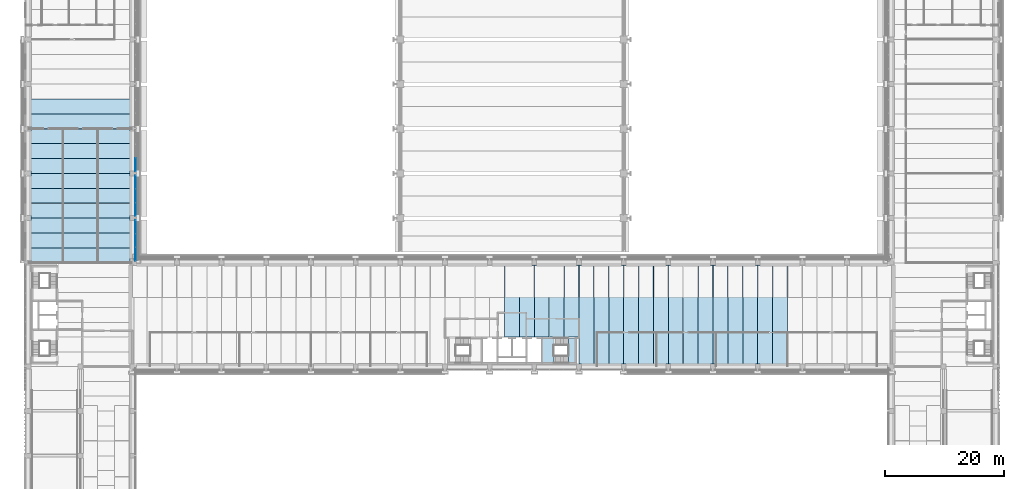
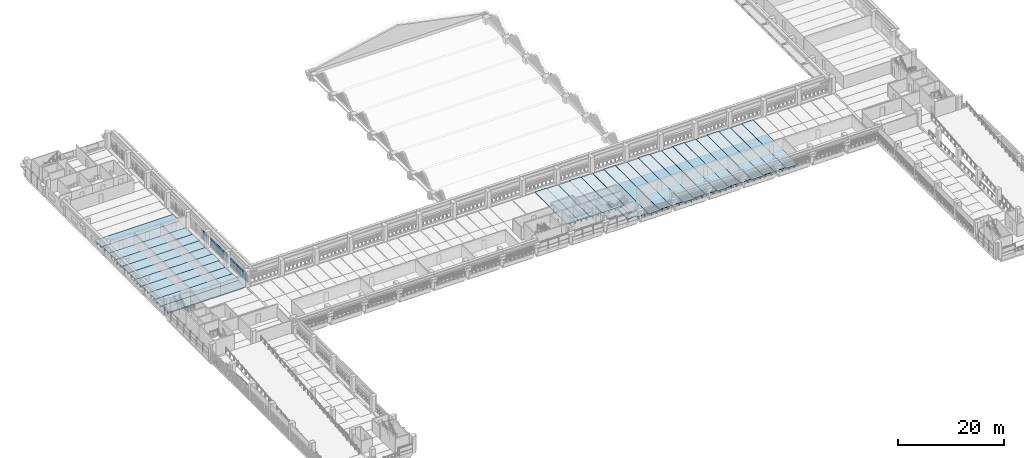
# One storey, part 24 of 71: 32 slabs, 21 plates, 4 elements without a shape of their own.
"""IFC4 building model written with IfcOpenShell, lengths in metres."""

from ifc_helpers import new_model, si_unit, direction, frame, origin, origin_2d, place, context, subcontext, project, spatial, polyline, rectangle, outline, extrude, material, layer, layer_set, material_profile, profile_set, type_object, element, aggregate, save


model = new_model("IFC4")

# Units and contexts
model_context = context("Model", 3, precision=1e-05, world=origin(), true_north=direction((0.0, 1.0)))
body_context = subcontext(model_context, "Body", "Model", "MODEL_VIEW")
ifc_project = project(units=[si_unit("LENGTHUNIT", "METRE"), si_unit("AREAUNIT", "SQUARE_METRE"), si_unit("VOLUMEUNIT", "CUBIC_METRE"), si_unit("PLANEANGLEUNIT", "RADIAN"), si_unit("MASSUNIT", "GRAM", prefix="KILO")], contexts=[model_context])

# Site, building, storey
site_placement = place(None, origin())
site = spatial("IfcSite", under=ifc_project, at=site_placement, CompositionType="ELEMENT")
building_placement = place(site_placement, origin())
building = spatial("IfcBuilding", under=site, at=building_placement, Name="Cour d'Honneur Mobility Palace", CompositionType="ELEMENT")
storey_placement = place(building_placement, frame((0.0, 0.0, 15.60009765625)))
storey = spatial("IfcBuildingStorey", under=building, at=storey_placement, Name="L04", CompositionType="ELEMENT", Elevation=15.60009765625)

# Slab
ifc_material_1 = material(Name="Concrete C50", Category="concrete")
ifc_layer_1 = layer(ifc_material_1, 0.25)
ifc_layer_set_1 = layer_set([ifc_layer_1], Name="Concrete C50")
slab_type_1 = type_object("IfcSlabType", Name="Cast-in-place Slab 250", PredefinedType="FLOOR", material=ifc_layer_set_1)
slab_1_placement = place(storey_placement, frame((0.0, 0.0, -0.25)))
element("IfcSlab", 1, at=slab_1_placement, inside=storey, type_object=slab_type_1, Name="Cast-in-place slab S1 L04 core", PredefinedType="FLOOR", context=body_context, shape_type="SweptSolid", body=[
    extrude(outline(polyline([(91.699951171875, 45.699951171875), (90.625, 45.699951171875), (90.625, 49.675048828125), (91.699951171875, 49.675048828125), (91.699951171875, 45.699951171875)])), origin(), (0.0, 0.0, 1.0), 0.25),
])

# Curtain wall, plates
ifc_material_2 = material(Name="Aluminium and glass", Category="aluminium")
ifc_layer_2 = layer(ifc_material_2, 0.10009765625)
ifc_layer_set_2 = layer_set([ifc_layer_2], Name="Aluminium and glass")
curtain_wall_type = type_object("IfcCurtainWallType", Name="Curtain wall run", PredefinedType="NOTDEFINED", material=ifc_layer_set_2)
curtain_wall_1_placement = place(storey_placement, origin())
curtain_wall_1 = element("IfcCurtainWall", 2, at=curtain_wall_1_placement, inside=storey, type_object=curtain_wall_type, Name="Curtain wall CW-37", PredefinedType="NOTDEFINED")
ifc_material_3 = material(Name="Double glazing", Category="glass")
ifc_layer_3 = layer(ifc_material_3, 0.028076171875)
ifc_layer_set_3 = layer_set([ifc_layer_3], Name="Double glazing")
plate_type = type_object("IfcPlateType", Name="Curtain wall panel", PredefinedType="CURTAIN_PANEL", material=ifc_layer_set_3)
plate_1_placement = place(storey_placement, frame((17.949951171875, 63.864990234375, 0.059814453125), z_axis=(0.0, 0.0, 1.0), x_axis=(0.0, 1.0, 0.0)))
plate_1 = element("IfcPlate", 3, at=plate_1_placement, type_object=plate_type, Name="CW-37 panel 1.1", PredefinedType="CURTAIN_PANEL", context=body_context, shape_type="SweptSolid", body=[
    extrude(rectangle(XDim=2.2099609375, YDim=0.028076171875, at=origin_2d()), origin(), (0.0, 0.0, 1.0), 0.6767578125),
])
plate_2_placement = place(storey_placement, frame((17.949951171875, 63.864990234375, 0.79638671875), z_axis=(0.0, 0.0, 1.0), x_axis=(0.0, 1.0, 0.0)))
plate_2 = element("IfcPlate", 4, at=plate_2_placement, type_object=plate_type, Name="CW-37 panel 1.2", PredefinedType="CURTAIN_PANEL", context=body_context, shape_type="SweptSolid", body=[
    extrude(rectangle(XDim=2.2099609375, YDim=0.028076171875, at=origin_2d()), origin(), (0.0, 0.0, 1.0), 0.706787109375),
])
plate_3_placement = place(storey_placement, frame((17.949951171875, 63.864990234375, 1.563232421875), z_axis=(0.0, 0.0, 1.0), x_axis=(0.0, 1.0, 0.0)))
plate_3 = element("IfcPlate", 5, at=plate_3_placement, type_object=plate_type, Name="CW-37 panel 1.3", PredefinedType="CURTAIN_PANEL", context=body_context, shape_type="SweptSolid", body=[
    extrude(rectangle(XDim=2.2099609375, YDim=0.028076171875, at=origin_2d()), origin(), (0.0, 0.0, 1.0), 0.6767578125),
])
plate_4_placement = place(storey_placement, frame((17.949951171875, 66.14990234375, 0.059814453125), z_axis=(0.0, 0.0, 1.0), x_axis=(0.0, 1.0, 0.0)))
plate_4 = element("IfcPlate", 6, at=plate_4_placement, type_object=plate_type, Name="CW-37 panel 2.1", PredefinedType="CURTAIN_PANEL", context=body_context, shape_type="SweptSolid", body=[
    extrude(rectangle(XDim=2.239990234375, YDim=0.028076171875, at=origin_2d()), origin(), (0.0, 0.0, 1.0), 0.6767578125),
])
plate_5_placement = place(storey_placement, frame((17.949951171875, 66.14990234375, 0.79638671875), z_axis=(0.0, 0.0, 1.0), x_axis=(0.0, 1.0, 0.0)))
plate_5 = element("IfcPlate", 7, at=plate_5_placement, type_object=plate_type, Name="CW-37 panel 2.2", PredefinedType="CURTAIN_PANEL", context=body_context, shape_type="SweptSolid", body=[
    extrude(rectangle(XDim=2.239990234375, YDim=0.028076171875, at=origin_2d()), origin(), (0.0, 0.0, 1.0), 0.706787109375),
])
plate_6_placement = place(storey_placement, frame((17.949951171875, 66.14990234375, 1.563232421875), z_axis=(0.0, 0.0, 1.0), x_axis=(0.0, 1.0, 0.0)))
plate_6 = element("IfcPlate", 8, at=plate_6_placement, type_object=plate_type, Name="CW-37 panel 2.3", PredefinedType="CURTAIN_PANEL", context=body_context, shape_type="SweptSolid", body=[
    extrude(rectangle(XDim=2.239990234375, YDim=0.028076171875, at=origin_2d()), origin(), (0.0, 0.0, 1.0), 0.6767578125),
])
plate_7_placement = place(storey_placement, frame((17.949951171875, 68.43505859375, 0.059814453125), z_axis=(0.0, 0.0, 1.0), x_axis=(0.0, 1.0, 0.0)))
plate_7 = element("IfcPlate", 9, at=plate_7_placement, type_object=plate_type, Name="CW-37 panel 3.1", PredefinedType="CURTAIN_PANEL", context=body_context, shape_type="SweptSolid", body=[
    extrude(rectangle(XDim=2.2099609375, YDim=0.028076171875, at=origin_2d()), origin(), (0.0, 0.0, 1.0), 0.6767578125),
])
plate_8_placement = place(storey_placement, frame((17.949951171875, 68.43505859375, 0.79638671875), z_axis=(0.0, 0.0, 1.0), x_axis=(0.0, 1.0, 0.0)))
plate_8 = element("IfcPlate", 10, at=plate_8_placement, type_object=plate_type, Name="CW-37 panel 3.2", PredefinedType="CURTAIN_PANEL", context=body_context, shape_type="SweptSolid", body=[
    extrude(rectangle(XDim=2.2099609375, YDim=0.028076171875, at=origin_2d()), origin(), (0.0, 0.0, 1.0), 0.706787109375),
])
plate_9_placement = place(storey_placement, frame((17.949951171875, 68.43505859375, 1.563232421875), z_axis=(0.0, 0.0, 1.0), x_axis=(0.0, 1.0, 0.0)))
plate_9 = element("IfcPlate", 11, at=plate_9_placement, type_object=plate_type, Name="CW-37 panel 3.3", PredefinedType="CURTAIN_PANEL", context=body_context, shape_type="SweptSolid", body=[
    extrude(rectangle(XDim=2.2099609375, YDim=0.028076171875, at=origin_2d()), origin(), (0.0, 0.0, 1.0), 0.6767578125),
])
aggregate(curtain_wall_1, [plate_1, plate_2, plate_3, plate_4, plate_5, plate_6, plate_7, plate_8, plate_9])

curtain_wall_2_placement = place(storey_placement, origin())
curtain_wall_2 = element("IfcCurtainWall", 12, at=curtain_wall_2_placement, inside=storey, type_object=curtain_wall_type, Name="Curtain wall CW-38", PredefinedType="NOTDEFINED")
plate_10_placement = place(storey_placement, frame((17.949951171875, 71.364990234375, 0.059814453125), z_axis=(0.0, 0.0, 1.0), x_axis=(0.0, 1.0, 0.0)))
plate_10 = element("IfcPlate", 13, at=plate_10_placement, type_object=plate_type, Name="CW-38 panel 1.1", PredefinedType="CURTAIN_PANEL", context=body_context, shape_type="SweptSolid", body=[
    extrude(rectangle(XDim=2.2099609375, YDim=0.028076171875, at=origin_2d()), origin(), (0.0, 0.0, 1.0), 0.6767578125),
])
plate_11_placement = place(storey_placement, frame((17.949951171875, 71.364990234375, 0.79638671875), z_axis=(0.0, 0.0, 1.0), x_axis=(0.0, 1.0, 0.0)))
plate_11 = element("IfcPlate", 14, at=plate_11_placement, type_object=plate_type, Name="CW-38 panel 1.2", PredefinedType="CURTAIN_PANEL", context=body_context, shape_type="SweptSolid", body=[
    extrude(rectangle(XDim=2.2099609375, YDim=0.028076171875, at=origin_2d()), origin(), (0.0, 0.0, 1.0), 0.706787109375),
])
plate_12_placement = place(storey_placement, frame((17.949951171875, 71.364990234375, 1.563232421875), z_axis=(0.0, 0.0, 1.0), x_axis=(0.0, 1.0, 0.0)))
plate_12 = element("IfcPlate", 15, at=plate_12_placement, type_object=plate_type, Name="CW-38 panel 1.3", PredefinedType="CURTAIN_PANEL", context=body_context, shape_type="SweptSolid", body=[
    extrude(rectangle(XDim=2.2099609375, YDim=0.028076171875, at=origin_2d()), origin(), (0.0, 0.0, 1.0), 0.6767578125),
])
plate_13_placement = place(storey_placement, frame((17.949951171875, 73.64990234375, 0.059814453125), z_axis=(0.0, 0.0, 1.0), x_axis=(0.0, 1.0, 0.0)))
plate_13 = element("IfcPlate", 16, at=plate_13_placement, type_object=plate_type, Name="CW-38 panel 2.1", PredefinedType="CURTAIN_PANEL", context=body_context, shape_type="SweptSolid", body=[
    extrude(rectangle(XDim=2.239990234375, YDim=0.028076171875, at=origin_2d()), origin(), (0.0, 0.0, 1.0), 0.6767578125),
])
plate_14_placement = place(storey_placement, frame((17.949951171875, 73.64990234375, 0.79638671875), z_axis=(0.0, 0.0, 1.0), x_axis=(0.0, 1.0, 0.0)))
plate_14 = element("IfcPlate", 17, at=plate_14_placement, type_object=plate_type, Name="CW-38 panel 2.2", PredefinedType="CURTAIN_PANEL", context=body_context, shape_type="SweptSolid", body=[
    extrude(rectangle(XDim=2.239990234375, YDim=0.028076171875, at=origin_2d()), origin(), (0.0, 0.0, 1.0), 0.706787109375),
])
plate_15_placement = place(storey_placement, frame((17.949951171875, 73.64990234375, 1.563232421875), z_axis=(0.0, 0.0, 1.0), x_axis=(0.0, 1.0, 0.0)))
plate_15 = element("IfcPlate", 18, at=plate_15_placement, type_object=plate_type, Name="CW-38 panel 2.3", PredefinedType="CURTAIN_PANEL", context=body_context, shape_type="SweptSolid", body=[
    extrude(rectangle(XDim=2.239990234375, YDim=0.028076171875, at=origin_2d()), origin(), (0.0, 0.0, 1.0), 0.6767578125),
])
plate_16_placement = place(storey_placement, frame((17.949951171875, 75.93505859375, 0.059814453125), z_axis=(0.0, 0.0, 1.0), x_axis=(0.0, 1.0, 0.0)))
plate_16 = element("IfcPlate", 19, at=plate_16_placement, type_object=plate_type, Name="CW-38 panel 3.1", PredefinedType="CURTAIN_PANEL", context=body_context, shape_type="SweptSolid", body=[
    extrude(rectangle(XDim=2.2099609375, YDim=0.028076171875, at=origin_2d()), origin(), (0.0, 0.0, 1.0), 0.6767578125),
])
plate_17_placement = place(storey_placement, frame((17.949951171875, 75.93505859375, 0.79638671875), z_axis=(0.0, 0.0, 1.0), x_axis=(0.0, 1.0, 0.0)))
plate_17 = element("IfcPlate", 20, at=plate_17_placement, type_object=plate_type, Name="CW-38 panel 3.2", PredefinedType="CURTAIN_PANEL", context=body_context, shape_type="SweptSolid", body=[
    extrude(rectangle(XDim=2.2099609375, YDim=0.028076171875, at=origin_2d()), origin(), (0.0, 0.0, 1.0), 0.706787109375),
])
plate_18_placement = place(storey_placement, frame((17.949951171875, 75.93505859375, 1.563232421875), z_axis=(0.0, 0.0, 1.0), x_axis=(0.0, 1.0, 0.0)))
plate_18 = element("IfcPlate", 21, at=plate_18_placement, type_object=plate_type, Name="CW-38 panel 3.3", PredefinedType="CURTAIN_PANEL", context=body_context, shape_type="SweptSolid", body=[
    extrude(rectangle(XDim=2.2099609375, YDim=0.028076171875, at=origin_2d()), origin(), (0.0, 0.0, 1.0), 0.6767578125),
])
aggregate(curtain_wall_2, [plate_10, plate_11, plate_12, plate_13, plate_14, plate_15, plate_16, plate_17, plate_18])

curtain_wall_3_placement = place(storey_placement, origin())
curtain_wall_3 = element("IfcCurtainWall", 22, at=curtain_wall_3_placement, inside=storey, type_object=curtain_wall_type, Name="Curtain wall CW-39", PredefinedType="NOTDEFINED")
plate_19_placement = place(storey_placement, frame((17.949951171875, 78.864990234375, 0.059814453125), z_axis=(0.0, 0.0, 1.0), x_axis=(0.0, 1.0, 0.0)))
plate_19 = element("IfcPlate", 23, at=plate_19_placement, type_object=plate_type, Name="CW-39 panel 1.1", PredefinedType="CURTAIN_PANEL", context=body_context, shape_type="SweptSolid", body=[
    extrude(rectangle(XDim=2.2099609375, YDim=0.028076171875, at=origin_2d()), origin(), (0.0, 0.0, 1.0), 0.6767578125),
])
plate_20_placement = place(storey_placement, frame((17.949951171875, 78.864990234375, 0.79638671875), z_axis=(0.0, 0.0, 1.0), x_axis=(0.0, 1.0, 0.0)))
plate_20 = element("IfcPlate", 24, at=plate_20_placement, type_object=plate_type, Name="CW-39 panel 1.2", PredefinedType="CURTAIN_PANEL", context=body_context, shape_type="SweptSolid", body=[
    extrude(rectangle(XDim=2.2099609375, YDim=0.028076171875, at=origin_2d()), origin(), (0.0, 0.0, 1.0), 0.706787109375),
])
plate_21_placement = place(storey_placement, frame((17.949951171875, 78.864990234375, 1.563232421875), z_axis=(0.0, 0.0, 1.0), x_axis=(0.0, 1.0, 0.0)))
plate_21 = element("IfcPlate", 25, at=plate_21_placement, type_object=plate_type, Name="CW-39 panel 1.3", PredefinedType="CURTAIN_PANEL", context=body_context, shape_type="SweptSolid", body=[
    extrude(rectangle(XDim=2.2099609375, YDim=0.028076171875, at=origin_2d()), origin(), (0.0, 0.0, 1.0), 0.6767578125),
])
aggregate(curtain_wall_3, [plate_19, plate_20, plate_21])

# Slabs
ifc_material_4 = material(Name="Concrete C45", Category="concrete")
ifc_material_profile_1 = material_profile(ifc_material_4, outline(polyline([(-1.2451171875, 0.0), (1.2451171875, 0.0), (1.2451171875, -0.10009765625), (0.679931640625, -0.10009765625), (0.64990234375, -0.64990234375), (0.550048828125, -0.64990234375), (0.52001953125, -0.10009765625), (-0.52001953125, -0.10009765625), (-0.550048828125, -0.64990234375), (-0.64990234375, -0.64990234375), (-0.679931640625, -0.10009765625), (-1.2451171875, -0.10009765625), (-1.2451171875, 0.0)])), Name="DT 2490x650")
ifc_profile_set_1 = profile_set([ifc_material_profile_1], Name="Concrete C45")
slab_type_2 = type_object("IfcSlabType", Name="DT 2490x650", PredefinedType="FLOOR", material=ifc_profile_set_1)
slab_2_placement = place(storey_placement, frame((81.14990234375, 49.925048828125, 0.0), z_axis=(0.0, 1.0, 0.0), x_axis=(-1.0, 0.0, 0.0)))
element("IfcSlab", 26, at=slab_2_placement, inside=storey, type_object=slab_type_2, Name="Double tee DT-C26 L04", PredefinedType="FLOOR", context=body_context, shape_type="SweptSolid", body=[
    extrude(outline(polyline([(-1.2451171875, 0.0), (1.2451171875, 0.0), (1.2451171875, -0.10009765625), (0.679931640625, -0.10009765625), (0.64990234375, -0.64990234375), (0.550048828125, -0.64990234375), (0.52001953125, -0.10009765625), (-0.52001953125, -0.10009765625), (-0.550048828125, -0.64990234375), (-0.64990234375, -0.64990234375), (-0.679931640625, -0.10009765625), (-1.2451171875, -0.10009765625), (-1.2451171875, 0.0)])), origin(), (0.0, 0.0, 1.0), 12.27490234375),
])
for number, where, z_axis, x_axis, name in (
    (27, (83.64990234375, 49.925048828125, 0.0), (0.0, 1.0, 0.0), (-1.0, 0.0, 0.0), "Double tee DT-C27 L04"),
    (28, (86.14990234375, 49.925048828125, 0.0), (0.0, 1.0, 0.0), (-1.0, 0.0, 0.0), "Double tee DT-C28 L04"),
):
    element("IfcSlab", number, at=place(storey_placement, frame(where, z_axis=z_axis, x_axis=x_axis)), inside=storey, type_object=slab_type_2, Name=name, PredefinedType="FLOOR", context=body_context, shape_type="SweptSolid", body=[
        extrude(outline(polyline([(-1.2451171875, 0.0), (1.2451171875, 0.0), (1.2451171875, -0.10009765625), (0.679931640625, -0.10009765625), (0.64990234375, -0.64990234375), (0.550048828125, -0.64990234375), (0.52001953125, -0.10009765625), (-0.52001953125, -0.10009765625), (-0.550048828125, -0.64990234375), (-0.64990234375, -0.64990234375), (-0.679931640625, -0.10009765625), (-1.2451171875, -0.10009765625), (-1.2451171875, 0.0)])), origin(), (0.0, 0.0, 1.0), 12.074951171875),
    ])
slab_3_placement = place(storey_placement, frame((88.64990234375, 49.925048828125, 0.0), z_axis=(0.0, 1.0, 0.0), x_axis=(-1.0, 0.0, 0.0)))
element("IfcSlab", 29, at=slab_3_placement, inside=storey, type_object=slab_type_2, Name="Double tee DT-C29 L04", PredefinedType="FLOOR", context=body_context, shape_type="SweptSolid", body=[
    extrude(outline(polyline([(-1.2451171875, 0.0), (1.2451171875, 0.0), (1.2451171875, -0.10009765625), (0.679931640625, -0.10009765625), (0.64990234375, -0.64990234375), (0.550048828125, -0.64990234375), (0.52001953125, -0.10009765625), (-0.52001953125, -0.10009765625), (-0.550048828125, -0.64990234375), (-0.64990234375, -0.64990234375), (-0.679931640625, -0.10009765625), (-1.2451171875, -0.10009765625), (-1.2451171875, 0.0)])), origin(), (0.0, 0.0, 1.0), 12.27490234375),
])
slab_4_placement = place(storey_placement, frame((91.14990234375, 49.925048828125, 0.0), z_axis=(0.0, 1.0, 0.0), x_axis=(-1.0, 0.0, 0.0)))
element("IfcSlab", 30, at=slab_4_placement, inside=storey, type_object=slab_type_2, Name="Double tee DT-C30 L04", PredefinedType="FLOOR", context=body_context, shape_type="SweptSolid", body=[
    extrude(outline(polyline([(-1.2451171875, 0.0), (1.2451171875, 0.0), (1.2451171875, -0.10009765625), (0.679931640625, -0.10009765625), (0.64990234375, -0.64990234375), (0.550048828125, -0.64990234375), (0.52001953125, -0.10009765625), (-0.52001953125, -0.10009765625), (-0.550048828125, -0.64990234375), (-0.64990234375, -0.64990234375), (-0.679931640625, -0.10009765625), (-1.2451171875, -0.10009765625), (-1.2451171875, 0.0)])), origin(), (0.0, 0.0, 1.0), 12.074951171875),
])
ifc_material_5 = material(Name="Concrete C45", Category="concrete")
ifc_material_profile_2 = material_profile(ifc_material_5, outline(polyline([(-1.2451171875, 0.0), (1.2451171875, 0.0), (1.2451171875, -0.10009765625), (0.679931640625, -0.10009765625), (0.64990234375, -0.75), (0.550048828125, -0.75), (0.52001953125, -0.10009765625), (-0.52001953125, -0.10009765625), (-0.550048828125, -0.75), (-0.64990234375, -0.75), (-0.679931640625, -0.10009765625), (-1.2451171875, -0.10009765625), (-1.2451171875, 0.0)])), Name="DT 2490x750")
ifc_profile_set_2 = profile_set([ifc_material_profile_2], Name="Concrete C45")
slab_type_3 = type_object("IfcSlabType", Name="DT 2490x750", PredefinedType="FLOOR", material=ifc_profile_set_2)
slab_5_placement = place(storey_placement, frame((0.39990234375, 63.64990234375, 0.0), z_axis=(1.0, 0.0, 0.0), x_axis=(0.0, 1.0, 0.0)))
element("IfcSlab", 31, at=slab_5_placement, inside=storey, type_object=slab_type_3, Name="Double tee DT-NW1 L04", PredefinedType="FLOOR", context=body_context, shape_type="SweptSolid", body=[
    extrude(outline(polyline([(-1.2451171875, 0.0), (1.2451171875, 0.0), (1.2451171875, -0.10009765625), (0.679931640625, -0.10009765625), (0.64990234375, -0.75), (0.550048828125, -0.75), (0.52001953125, -0.10009765625), (-0.52001953125, -0.10009765625), (-0.550048828125, -0.75), (-0.64990234375, -0.75), (-0.679931640625, -0.10009765625), (-1.2451171875, -0.10009765625), (-1.2451171875, 0.0)])), origin(), (0.0, 0.0, 1.0), 16.60009765625),
])
slab_6_placement = place(storey_placement, frame((0.199951171875, 66.14990234375, 0.0), z_axis=(1.0, 0.0, 0.0), x_axis=(0.0, 1.0, 0.0)))
element("IfcSlab", 32, at=slab_6_placement, inside=storey, type_object=slab_type_3, Name="Double tee DT-NW2 L04", PredefinedType="FLOOR", context=body_context, shape_type="SweptSolid", body=[
    extrude(outline(polyline([(-1.2451171875, 0.0), (1.2451171875, 0.0), (1.2451171875, -0.10009765625), (0.679931640625, -0.10009765625), (0.64990234375, -0.75), (0.550048828125, -0.75), (0.52001953125, -0.10009765625), (-0.52001953125, -0.10009765625), (-0.550048828125, -0.75), (-0.64990234375, -0.75), (-0.679931640625, -0.10009765625), (-1.2451171875, -0.10009765625), (-1.2451171875, 0.0)])), origin(), (0.0, 0.0, 1.0), 17.0),
])
for number, where, z_axis, x_axis, name in (
    (33, (0.39990234375, 68.64990234375, 0.0), (1.0, 0.0, 0.0), (0.0, 1.0, 0.0), "Double tee DT-NW3 L04"),
    (34, (0.39990234375, 71.14990234375, 0.0), (1.0, 0.0, 0.0), (0.0, 1.0, 0.0), "Double tee DT-NW4 L04"),
):
    element("IfcSlab", number, at=place(storey_placement, frame(where, z_axis=z_axis, x_axis=x_axis)), inside=storey, type_object=slab_type_3, Name=name, PredefinedType="FLOOR", context=body_context, shape_type="SweptSolid", body=[
        extrude(outline(polyline([(-1.2451171875, 0.0), (1.2451171875, 0.0), (1.2451171875, -0.10009765625), (0.679931640625, -0.10009765625), (0.64990234375, -0.75), (0.550048828125, -0.75), (0.52001953125, -0.10009765625), (-0.52001953125, -0.10009765625), (-0.550048828125, -0.75), (-0.64990234375, -0.75), (-0.679931640625, -0.10009765625), (-1.2451171875, -0.10009765625), (-1.2451171875, 0.0)])), origin(), (0.0, 0.0, 1.0), 16.60009765625),
    ])
slab_7_placement = place(storey_placement, frame((0.199951171875, 73.64990234375, 0.0), z_axis=(1.0, 0.0, 0.0), x_axis=(0.0, 1.0, 0.0)))
element("IfcSlab", 35, at=slab_7_placement, inside=storey, type_object=slab_type_3, Name="Double tee DT-NW5 L04", PredefinedType="FLOOR", context=body_context, shape_type="SweptSolid", body=[
    extrude(outline(polyline([(-1.2451171875, 0.0), (1.2451171875, 0.0), (1.2451171875, -0.10009765625), (0.679931640625, -0.10009765625), (0.64990234375, -0.75), (0.550048828125, -0.75), (0.52001953125, -0.10009765625), (-0.52001953125, -0.10009765625), (-0.550048828125, -0.75), (-0.64990234375, -0.75), (-0.679931640625, -0.10009765625), (-1.2451171875, -0.10009765625), (-1.2451171875, 0.0)])), origin(), (0.0, 0.0, 1.0), 17.0),
])
for number, where, z_axis, x_axis, name in (
    (36, (0.39990234375, 76.14990234375, 0.0), (1.0, 0.0, 0.0), (0.0, 1.0, 0.0), "Double tee DT-NW6 L04"),
    (37, (0.39990234375, 78.64990234375, 0.0), (1.0, 0.0, 0.0), (0.0, 1.0, 0.0), "Double tee DT-NW7 L04"),
):
    element("IfcSlab", number, at=place(storey_placement, frame(where, z_axis=z_axis, x_axis=x_axis)), inside=storey, type_object=slab_type_3, Name=name, PredefinedType="FLOOR", context=body_context, shape_type="SweptSolid", body=[
        extrude(outline(polyline([(-1.2451171875, 0.0), (1.2451171875, 0.0), (1.2451171875, -0.10009765625), (0.679931640625, -0.10009765625), (0.64990234375, -0.75), (0.550048828125, -0.75), (0.52001953125, -0.10009765625), (-0.52001953125, -0.10009765625), (-0.550048828125, -0.75), (-0.64990234375, -0.75), (-0.679931640625, -0.10009765625), (-1.2451171875, -0.10009765625), (-1.2451171875, 0.0)])), origin(), (0.0, 0.0, 1.0), 16.60009765625),
    ])
slab_8_placement = place(storey_placement, frame((0.199951171875, 81.14990234375, 0.0), z_axis=(1.0, 0.0, 0.0), x_axis=(0.0, 1.0, 0.0)))
element("IfcSlab", 38, at=slab_8_placement, inside=storey, type_object=slab_type_3, Name="Double tee DT-NW8 L04", PredefinedType="FLOOR", context=body_context, shape_type="SweptSolid", body=[
    extrude(outline(polyline([(-1.2451171875, 0.0), (1.2451171875, 0.0), (1.2451171875, -0.10009765625), (0.679931640625, -0.10009765625), (0.64990234375, -0.75), (0.550048828125, -0.75), (0.52001953125, -0.10009765625), (-0.52001953125, -0.10009765625), (-0.550048828125, -0.75), (-0.64990234375, -0.75), (-0.679931640625, -0.10009765625), (-1.2451171875, -0.10009765625), (-1.2451171875, 0.0)])), origin(), (0.0, 0.0, 1.0), 17.0),
])
for number, where, z_axis, x_axis, name in (
    (39, (0.39990234375, 83.64990234375, 0.0), (1.0, 0.0, 0.0), (0.0, 1.0, 0.0), "Double tee DT-NW9 L04"),
    (40, (0.39990234375, 86.14990234375, 0.0), (1.0, 0.0, 0.0), (0.0, 1.0, 0.0), "Double tee DT-NW10 L04"),
):
    element("IfcSlab", number, at=place(storey_placement, frame(where, z_axis=z_axis, x_axis=x_axis)), inside=storey, type_object=slab_type_3, Name=name, PredefinedType="FLOOR", context=body_context, shape_type="SweptSolid", body=[
        extrude(outline(polyline([(-1.2451171875, 0.0), (1.2451171875, 0.0), (1.2451171875, -0.10009765625), (0.679931640625, -0.10009765625), (0.64990234375, -0.75), (0.550048828125, -0.75), (0.52001953125, -0.10009765625), (-0.52001953125, -0.10009765625), (-0.550048828125, -0.75), (-0.64990234375, -0.75), (-0.679931640625, -0.10009765625), (-1.2451171875, -0.10009765625), (-1.2451171875, 0.0)])), origin(), (0.0, 0.0, 1.0), 16.60009765625),
    ])
slab_9_placement = place(storey_placement, frame((0.199951171875, 88.64990234375, 0.0), z_axis=(1.0, 0.0, 0.0), x_axis=(0.0, 1.0, 0.0)))
element("IfcSlab", 41, at=slab_9_placement, inside=storey, type_object=slab_type_3, Name="Double tee DT-NW11 L04", PredefinedType="FLOOR", context=body_context, shape_type="SweptSolid", body=[
    extrude(outline(polyline([(-1.2451171875, 0.0), (1.2451171875, 0.0), (1.2451171875, -0.10009765625), (0.679931640625, -0.10009765625), (0.64990234375, -0.75), (0.550048828125, -0.75), (0.52001953125, -0.10009765625), (-0.52001953125, -0.10009765625), (-0.550048828125, -0.75), (-0.64990234375, -0.75), (-0.679931640625, -0.10009765625), (-1.2451171875, -0.10009765625), (-1.2451171875, 0.0)])), origin(), (0.0, 0.0, 1.0), 17.0),
])
slab_10_placement = place(storey_placement, frame((93.64990234375, 45.39990234375, 0.0), z_axis=(0.0, 1.0, 0.0), x_axis=(-1.0, 0.0, 0.0)))
element("IfcSlab", 42, at=slab_10_placement, inside=storey, type_object=slab_type_3, Name="Double tee DT-C31 L04", PredefinedType="FLOOR", context=body_context, shape_type="SweptSolid", body=[
    extrude(outline(polyline([(-1.2451171875, 0.0), (1.2451171875, 0.0), (1.2451171875, -0.10009765625), (0.679931640625, -0.10009765625), (0.64990234375, -0.75), (0.550048828125, -0.75), (0.52001953125, -0.10009765625), (-0.52001953125, -0.10009765625), (-0.550048828125, -0.75), (-0.64990234375, -0.75), (-0.679931640625, -0.10009765625), (-1.2451171875, -0.10009765625), (-1.2451171875, 0.0)])), origin(), (0.0, 0.0, 1.0), 16.60009765625),
])
slab_11_placement = place(storey_placement, frame((96.14990234375, 45.199951171875, 0.0), z_axis=(0.0, 1.0, 0.0), x_axis=(-1.0, 0.0, 0.0)))
element("IfcSlab", 43, at=slab_11_placement, inside=storey, type_object=slab_type_3, Name="Double tee DT-C32 L04", PredefinedType="FLOOR", context=body_context, shape_type="SweptSolid", body=[
    extrude(outline(polyline([(-1.2451171875, 0.0), (1.2451171875, 0.0), (1.2451171875, -0.10009765625), (0.679931640625, -0.10009765625), (0.64990234375, -0.75), (0.550048828125, -0.75), (0.52001953125, -0.10009765625), (-0.52001953125, -0.10009765625), (-0.550048828125, -0.75), (-0.64990234375, -0.75), (-0.679931640625, -0.10009765625), (-1.2451171875, -0.10009765625), (-1.2451171875, 0.0)])), origin(), (0.0, 0.0, 1.0), 17.0),
])
for number, where, z_axis, x_axis, name in (
    (44, (98.64990234375, 45.39990234375, 0.0), (0.0, 1.0, 0.0), (-1.0, 0.0, 0.0), "Double tee DT-C33 L04"),
    (45, (101.14990234375, 45.39990234375, 0.0), (0.0, 1.0, 0.0), (-1.0, 0.0, 0.0), "Double tee DT-C34 L04"),
):
    element("IfcSlab", number, at=place(storey_placement, frame(where, z_axis=z_axis, x_axis=x_axis)), inside=storey, type_object=slab_type_3, Name=name, PredefinedType="FLOOR", context=body_context, shape_type="SweptSolid", body=[
        extrude(outline(polyline([(-1.2451171875, 0.0), (1.2451171875, 0.0), (1.2451171875, -0.10009765625), (0.679931640625, -0.10009765625), (0.64990234375, -0.75), (0.550048828125, -0.75), (0.52001953125, -0.10009765625), (-0.52001953125, -0.10009765625), (-0.550048828125, -0.75), (-0.64990234375, -0.75), (-0.679931640625, -0.10009765625), (-1.2451171875, -0.10009765625), (-1.2451171875, 0.0)])), origin(), (0.0, 0.0, 1.0), 16.60009765625),
    ])
slab_12_placement = place(storey_placement, frame((103.64990234375, 45.199951171875, 0.0), z_axis=(0.0, 1.0, 0.0), x_axis=(-1.0, 0.0, 0.0)))
element("IfcSlab", 46, at=slab_12_placement, inside=storey, type_object=slab_type_3, Name="Double tee DT-C35 L04", PredefinedType="FLOOR", context=body_context, shape_type="SweptSolid", body=[
    extrude(outline(polyline([(-1.2451171875, 0.0), (1.2451171875, 0.0), (1.2451171875, -0.10009765625), (0.679931640625, -0.10009765625), (0.64990234375, -0.75), (0.550048828125, -0.75), (0.52001953125, -0.10009765625), (-0.52001953125, -0.10009765625), (-0.550048828125, -0.75), (-0.64990234375, -0.75), (-0.679931640625, -0.10009765625), (-1.2451171875, -0.10009765625), (-1.2451171875, 0.0)])), origin(), (0.0, 0.0, 1.0), 17.0),
])
for number, where, z_axis, x_axis, name in (
    (47, (106.14990234375, 45.39990234375, 0.0), (0.0, 1.0, 0.0), (-1.0, 0.0, 0.0), "Double tee DT-C36 L04"),
    (48, (108.64990234375, 45.39990234375, 0.0), (0.0, 1.0, 0.0), (-1.0, 0.0, 0.0), "Double tee DT-C37 L04"),
):
    element("IfcSlab", number, at=place(storey_placement, frame(where, z_axis=z_axis, x_axis=x_axis)), inside=storey, type_object=slab_type_3, Name=name, PredefinedType="FLOOR", context=body_context, shape_type="SweptSolid", body=[
        extrude(outline(polyline([(-1.2451171875, 0.0), (1.2451171875, 0.0), (1.2451171875, -0.10009765625), (0.679931640625, -0.10009765625), (0.64990234375, -0.75), (0.550048828125, -0.75), (0.52001953125, -0.10009765625), (-0.52001953125, -0.10009765625), (-0.550048828125, -0.75), (-0.64990234375, -0.75), (-0.679931640625, -0.10009765625), (-1.2451171875, -0.10009765625), (-1.2451171875, 0.0)])), origin(), (0.0, 0.0, 1.0), 16.60009765625),
    ])
slab_13_placement = place(storey_placement, frame((111.14990234375, 45.199951171875, 0.0), z_axis=(0.0, 1.0, 0.0), x_axis=(-1.0, 0.0, 0.0)))
element("IfcSlab", 49, at=slab_13_placement, inside=storey, type_object=slab_type_3, Name="Double tee DT-C38 L04", PredefinedType="FLOOR", context=body_context, shape_type="SweptSolid", body=[
    extrude(outline(polyline([(-1.2451171875, 0.0), (1.2451171875, 0.0), (1.2451171875, -0.10009765625), (0.679931640625, -0.10009765625), (0.64990234375, -0.75), (0.550048828125, -0.75), (0.52001953125, -0.10009765625), (-0.52001953125, -0.10009765625), (-0.550048828125, -0.75), (-0.64990234375, -0.75), (-0.679931640625, -0.10009765625), (-1.2451171875, -0.10009765625), (-1.2451171875, 0.0)])), origin(), (0.0, 0.0, 1.0), 17.0),
])
for number, where, z_axis, x_axis, name in (
    (50, (113.64990234375, 45.39990234375, 0.0), (0.0, 1.0, 0.0), (-1.0, 0.0, 0.0), "Double tee DT-C39 L04"),
    (51, (116.14990234375, 45.39990234375, 0.0), (0.0, 1.0, 0.0), (-1.0, 0.0, 0.0), "Double tee DT-C40 L04"),
):
    element("IfcSlab", number, at=place(storey_placement, frame(where, z_axis=z_axis, x_axis=x_axis)), inside=storey, type_object=slab_type_3, Name=name, PredefinedType="FLOOR", context=body_context, shape_type="SweptSolid", body=[
        extrude(outline(polyline([(-1.2451171875, 0.0), (1.2451171875, 0.0), (1.2451171875, -0.10009765625), (0.679931640625, -0.10009765625), (0.64990234375, -0.75), (0.550048828125, -0.75), (0.52001953125, -0.10009765625), (-0.52001953125, -0.10009765625), (-0.550048828125, -0.75), (-0.64990234375, -0.75), (-0.679931640625, -0.10009765625), (-1.2451171875, -0.10009765625), (-1.2451171875, 0.0)])), origin(), (0.0, 0.0, 1.0), 16.60009765625),
    ])
slab_14_placement = place(storey_placement, frame((118.64990234375, 45.199951171875, 0.0), z_axis=(0.0, 1.0, 0.0), x_axis=(-1.0, 0.0, 0.0)))
element("IfcSlab", 52, at=slab_14_placement, inside=storey, type_object=slab_type_3, Name="Double tee DT-C41 L04", PredefinedType="FLOOR", context=body_context, shape_type="SweptSolid", body=[
    extrude(outline(polyline([(-1.2451171875, 0.0), (1.2451171875, 0.0), (1.2451171875, -0.10009765625), (0.679931640625, -0.10009765625), (0.64990234375, -0.75), (0.550048828125, -0.75), (0.52001953125, -0.10009765625), (-0.52001953125, -0.10009765625), (-0.550048828125, -0.75), (-0.64990234375, -0.75), (-0.679931640625, -0.10009765625), (-1.2451171875, -0.10009765625), (-1.2451171875, 0.0)])), origin(), (0.0, 0.0, 1.0), 17.0),
])
for number, where, z_axis, x_axis, name in (
    (53, (121.14990234375, 45.39990234375, 0.0), (0.0, 1.0, 0.0), (-1.0, 0.0, 0.0), "Double tee DT-C42 L04"),
    (54, (123.64990234375, 45.39990234375, 0.0), (0.0, 1.0, 0.0), (-1.0, 0.0, 0.0), "Double tee DT-C43 L04"),
):
    element("IfcSlab", number, at=place(storey_placement, frame(where, z_axis=z_axis, x_axis=x_axis)), inside=storey, type_object=slab_type_3, Name=name, PredefinedType="FLOOR", context=body_context, shape_type="SweptSolid", body=[
        extrude(outline(polyline([(-1.2451171875, 0.0), (1.2451171875, 0.0), (1.2451171875, -0.10009765625), (0.679931640625, -0.10009765625), (0.64990234375, -0.75), (0.550048828125, -0.75), (0.52001953125, -0.10009765625), (-0.52001953125, -0.10009765625), (-0.550048828125, -0.75), (-0.64990234375, -0.75), (-0.679931640625, -0.10009765625), (-1.2451171875, -0.10009765625), (-1.2451171875, 0.0)])), origin(), (0.0, 0.0, 1.0), 16.60009765625),
    ])
slab_15_placement = place(storey_placement, frame((126.14990234375, 45.199951171875, 0.0), z_axis=(0.0, 1.0, 0.0), x_axis=(-1.0, 0.0, 0.0)))
element("IfcSlab", 55, at=slab_15_placement, inside=storey, type_object=slab_type_3, Name="Double tee DT-C44 L04", PredefinedType="FLOOR", context=body_context, shape_type="SweptSolid", body=[
    extrude(outline(polyline([(-1.2451171875, 0.0), (1.2451171875, 0.0), (1.2451171875, -0.10009765625), (0.679931640625, -0.10009765625), (0.64990234375, -0.75), (0.550048828125, -0.75), (0.52001953125, -0.10009765625), (-0.52001953125, -0.10009765625), (-0.550048828125, -0.75), (-0.64990234375, -0.75), (-0.679931640625, -0.10009765625), (-1.2451171875, -0.10009765625), (-1.2451171875, 0.0)])), origin(), (0.0, 0.0, 1.0), 17.0),
])

# Stair, slab
ifc_material_6 = material(Name="Concrete C50", Category="concrete")
stair_type = type_object("IfcStairType", Name="Stair 20 risers", PredefinedType="HALF_TURN_STAIR", material=ifc_material_6)
stair_placement = place(storey_placement, origin())
stair = element("IfcStair", 56, at=stair_placement, inside=storey, type_object=stair_type, Name="Stair ST-CC2", PredefinedType="HALF_TURN_STAIR")
ifc_material_7 = material(Name="Concrete C50", Category="concrete")
ifc_layer_4 = layer(ifc_material_7, 0.199951171875)
ifc_layer_set_4 = layer_set([ifc_layer_4], Name="Concrete C50")
slab_type_4 = type_object("IfcSlabType", Name="Stair landing", PredefinedType="LANDING", material=ifc_layer_set_4)
slab_16_placement = place(storey_placement, frame((0.0, 0.0, 1.64990234375)))
slab_16 = element("IfcSlab", 57, at=slab_16_placement, type_object=slab_type_4, Name="ST-CC2 landing 1", PredefinedType="LANDING", context=body_context, shape_type="SweptSolid", body=[
    extrude(outline(polyline([(86.199951171875, 45.574951171875), (88.195068359375, 45.574951171875), (88.195068359375, 49.800048828125), (86.199951171875, 49.800048828125), (86.199951171875, 45.574951171875)])), origin(), (0.0, 0.0, 1.0), 0.199951171875),
])
aggregate(stair, [slab_16])

save(model, "model.ifc")
